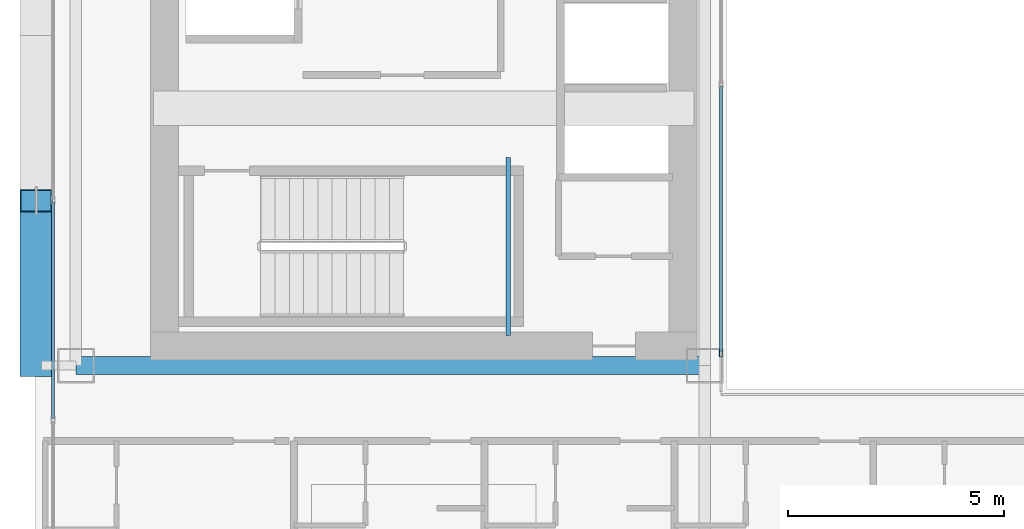
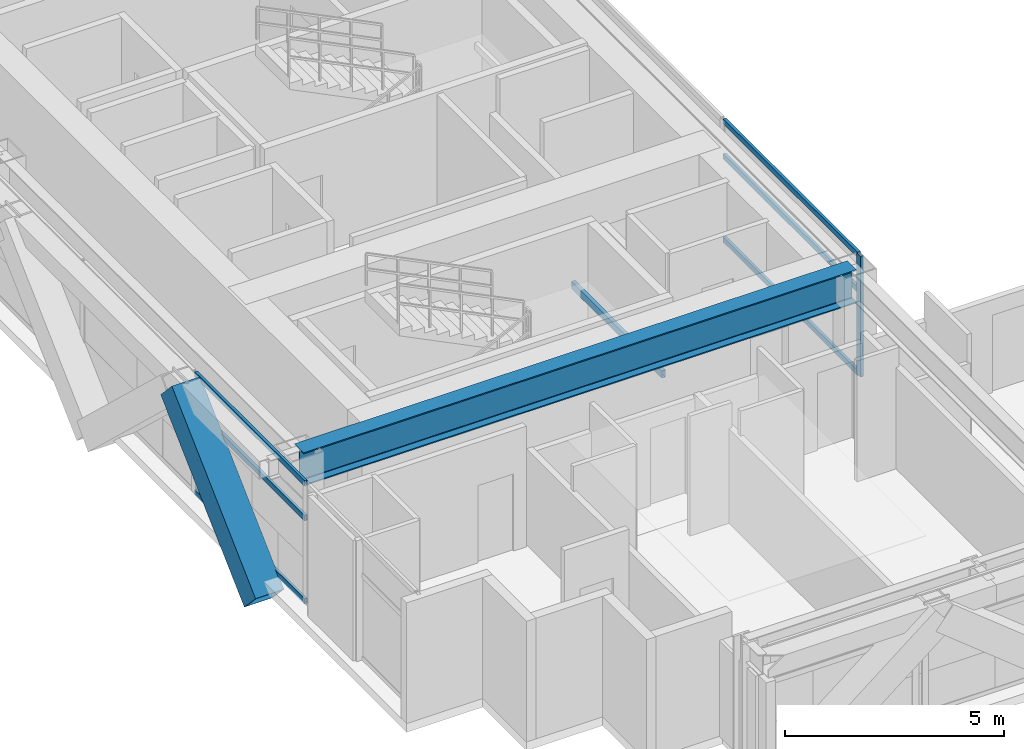
# One storey, part 4 of 39: 8 members, 2 beams, 2 elements without a shape of their own.
"""IFC4 building model written with IfcOpenShell, lengths in metres."""

from ifc_helpers import new_model, si_unit, direction, frame, origin, origin_2d, place, context, subcontext, project, spatial, hollow_rectangle, i_section, extrude, source, transform, mapped, material, layer, layer_set, material_profile, profile_set, type_object, element, aggregate, save


model = new_model("IFC4")

# Units and contexts
model_context = context("Model", 3, precision=1e-05, world=origin(), true_north=direction((0.0, 1.0)))
body_context = subcontext(model_context, "Body", "Model", "MODEL_VIEW")
ifc_project = project(units=[si_unit("LENGTHUNIT", "METRE"), si_unit("AREAUNIT", "SQUARE_METRE"), si_unit("VOLUMEUNIT", "CUBIC_METRE"), si_unit("PLANEANGLEUNIT", "RADIAN"), si_unit("MASSUNIT", "GRAM", prefix="KILO")], contexts=[model_context])

# Site, building, storey
site_placement = place(None, origin())
site = spatial("IfcSite", under=ifc_project, at=site_placement, CompositionType="ELEMENT")
building_placement = place(site_placement, origin())
building = spatial("IfcBuilding", under=site, at=building_placement, Name="Ocotamira Hotel", CompositionType="ELEMENT")
storey_placement = place(building_placement, frame((0.0, 0.0, 104.39990234375)))
storey = spatial("IfcBuildingStorey", under=building, at=storey_placement, Name="L25", CompositionType="ELEMENT", Elevation=104.39990234375)

# Beams
ifc_material_1 = material(Name="Steel ASTM A500 Grade C", Category="steel")
ifc_material_profile_1 = material_profile(ifc_material_1, hollow_rectangle(XDim=0.10009765625, YDim=0.199951171875, WallThickness=0.008056640625, at=origin_2d()), Name="HSS200X100X8")
ifc_profile_set_1 = profile_set([ifc_material_profile_1], Name="Steel ASTM A500 Grade C")
beam_type_1 = type_object("IfcBeamType", Name="BM-STLDG-HSS200", PredefinedType="BEAM", material=ifc_profile_set_1)
shared_shape_1 = source(origin(), body_context, "Body", "SweptSolid", [
    extrude(hollow_rectangle(XDim=0.10009765625, YDim=0.199951171875, WallThickness=0.008056640625, at=origin_2d()), origin(), (0.0, 0.0, 1.0), 4.1201171875),
])
beam_1_placement = place(storey_placement, frame((18.949951171875, 15.25, 1.5), z_axis=(0.0, 1.0, 0.0), x_axis=(-1.0, 0.0, 0.0)))
element("IfcBeam", 1, at=beam_1_placement, inside=storey, type_object=beam_type_1, Name="L25 Stair ST-1 Landing Bearer 1", PredefinedType="BEAM", context=body_context, shape_type="MappedRepresentation", body=[
    mapped(shared_shape_1, transform((0.0, 0.0, 0.0), scale=1.0)),
])
ifc_material_2 = material(Name="Steel ASTM A992 Grade 50", Category="steel")
ifc_material_profile_2 = material_profile(ifc_material_2, i_section(OverallWidth=0.41796875, OverallDepth=0.927001953125, WebThickness=0.019287109375, FlangeThickness=0.031982421875, FilletRadius=0.02392578125, at=origin_2d()), Name="W36X231")
ifc_profile_set_2 = profile_set([ifc_material_profile_2], Name="Steel ASTM A992 Grade 50")
beam_type_2 = type_object("IfcBeamType", Name="BM-GIRD-W36X231", PredefinedType="BEAM", material=ifc_profile_set_2)
shared_shape_2 = source(origin(), body_context, "Body", "SweptSolid", [
    extrude(i_section(OverallWidth=0.41796875, OverallDepth=0.927001953125, WebThickness=0.019287109375, FlangeThickness=0.031982421875, FilletRadius=0.02392578125, at=origin_2d()), origin(), (0.0, 0.0, 1.0), 14.550048828125),
])
beam_2_placement = place(storey_placement, frame((8.949951171875, 14.550048828125, 2.896484375), z_axis=(1.0, 0.0, 0.0), x_axis=(0.0, 1.0, 0.0)))
element("IfcBeam", 2, at=beam_2_placement, inside=storey, type_object=beam_type_2, Name="L25 Girder Y14.55 X8.95-23.5", PredefinedType="BEAM", context=body_context, shape_type="MappedRepresentation", body=[
    mapped(shared_shape_2, transform((0.0, 0.0, 0.0), scale=1.0)),
])

# Member
ifc_material_3 = material(Name="Pale-metal coated steel ASTM A913 Grade 65", Category="steel")
ifc_material_profile_3 = material_profile(ifc_material_3, hollow_rectangle(XDim=0.75, YDim=0.75, WallThickness=0.028076171875, at=origin_2d()), Name="BOX750X750X28")
ifc_profile_set_3 = profile_set([ifc_material_profile_3], Name="Pale-metal coated steel ASTM A913 Grade 65")
member_type_1 = type_object("IfcMemberType", Name="MEM-EXO-BOX750", PredefinedType="BRACE", material=ifc_profile_set_3)
shared_shape_3 = source(origin(), body_context, "Body", "SweptSolid", [
    extrude(hollow_rectangle(XDim=0.75, YDim=0.75, WallThickness=0.028076171875, at=origin_2d()), origin(), (0.0, 0.0, 1.0), 5.24658203125),
])
member_1_placement = place(storey_placement, frame((8.030029296875, 14.550048828125, -0.489990234375), z_axis=(0.0, 0.727442733726, 0.686168397078), x_axis=(-1.0, 0.0, 0.0)))
element("IfcMember", 3, at=member_1_placement, inside=storey, type_object=member_type_1, Name="L25 Exoskeleton Diagrid W0.1", PredefinedType="BRACE", context=body_context, shape_type="MappedRepresentation", body=[
    mapped(shared_shape_3, transform((0.0, 0.0, 0.0), scale=1.0)),
])

# Curtain wall, members
ifc_material_4 = material(Name="Anodised pale-metal aluminium and solar glass", Category="aluminium")
ifc_layer_1 = layer(ifc_material_4, 0.179931640625)
ifc_layer_set_1 = layer_set([ifc_layer_1], Name="Anodised pale-metal aluminium and solar glass")
curtain_wall_type_1 = type_object("IfcCurtainWallType", Name="CW-SYS3-Z2", PredefinedType="NOTDEFINED", material=ifc_layer_set_1)
curtain_wall_1_placement = place(storey_placement, origin())
curtain_wall_1 = element("IfcCurtainWall", 4, at=curtain_wall_1_placement, inside=storey, type_object=curtain_wall_type_1, Name="L25 Curtain Wall CW-3 CW-L25-W", PredefinedType="NOTDEFINED")
ifc_material_5 = material(Name="Anodised pale-metal aluminium 6063-T6", Category="aluminium")
ifc_material_profile_4 = material_profile(ifc_material_5, hollow_rectangle(XDim=0.074951171875, YDim=0.14990234375, WallThickness=0.006103515625, at=origin_2d()), Name="HSS150X75X6")
ifc_profile_set_4 = profile_set([ifc_material_profile_4], Name="Anodised pale-metal aluminium 6063-T6")
member_type_2 = type_object("IfcMemberType", Name="CWT-150X75", PredefinedType="USERDEFINED", material=ifc_profile_set_4)
shared_shape_4 = source(origin(), body_context, "Body", "SweptSolid", [
    extrude(hollow_rectangle(XDim=0.074951171875, YDim=0.14990234375, WallThickness=0.006103515625, at=origin_2d()), origin(), (0.0, 0.0, 1.0), 5.005859375),
])
member_2_placement = place(storey_placement, frame((8.419921875, 13.32568359375, 0.03759765625), z_axis=(0.0, 1.0, 0.0), x_axis=(-1.0, 0.0, 0.0)))
member_2 = element("IfcMember", 5, at=member_2_placement, type_object=member_type_2, Name="CW-3 transom 2.1", ObjectType="TRANSOM", PredefinedType="USERDEFINED", context=body_context, shape_type="MappedRepresentation", body=[
    mapped(shared_shape_4, transform((0.0, 0.0, 0.0), scale=1.0)),
])
member_3_placement = place(storey_placement, frame((8.419921875, 13.32568359375, 2.35009765625), z_axis=(0.0, 1.0, 0.0), x_axis=(-1.0, 0.0, 0.0)))
member_3 = element("IfcMember", 6, at=member_3_placement, type_object=member_type_2, Name="CW-3 transom 2.2", ObjectType="TRANSOM", PredefinedType="USERDEFINED", context=body_context, shape_type="MappedRepresentation", body=[
    mapped(shared_shape_4, transform((0.0, 0.0, 0.0), scale=1.0)),
])
member_4_placement = place(storey_placement, frame((8.419921875, 13.32568359375, 3.322509765625), z_axis=(0.0, 1.0, 0.0), x_axis=(-1.0, 0.0, 0.0)))
member_4 = element("IfcMember", 7, at=member_4_placement, type_object=member_type_2, Name="CW-3 transom 2.3", ObjectType="TRANSOM", PredefinedType="USERDEFINED", context=body_context, shape_type="MappedRepresentation", body=[
    mapped(shared_shape_4, transform((0.0, 0.0, 0.0), scale=1.0)),
])
aggregate(curtain_wall_1, [member_2, member_3, member_4])

ifc_layer_2 = layer(ifc_material_4, 0.159912109375)
ifc_layer_set_2 = layer_set([ifc_layer_2], Name="Anodised pale-metal aluminium and solar glass")
curtain_wall_type_2 = type_object("IfcCurtainWallType", Name="CW-SYS6-ATR", PredefinedType="NOTDEFINED", material=ifc_layer_set_2)
curtain_wall_2_placement = place(storey_placement, origin())
curtain_wall_2 = element("IfcCurtainWall", 8, at=curtain_wall_2_placement, inside=storey, type_object=curtain_wall_type_2, Name="L25 Curtain Wall CW-6 CW-L25-ATRW1", PredefinedType="NOTDEFINED")
shared_shape_5 = source(origin(), body_context, "Body", "SweptSolid", [
    extrude(hollow_rectangle(XDim=0.074951171875, YDim=0.14990234375, WallThickness=0.006103515625, at=origin_2d()), origin(), (0.0, 0.0, 1.0), 6.130126953125),
])
member_5_placement = place(storey_placement, frame((23.8798828125, 14.8798828125, 0.03759765625), z_axis=(0.0, 1.0, 0.0), x_axis=(-1.0, 0.0, 0.0)))
member_5 = element("IfcMember", 9, at=member_5_placement, type_object=member_type_2, Name="CW-6 transom 1.1", ObjectType="TRANSOM", PredefinedType="USERDEFINED", context=body_context, shape_type="MappedRepresentation", body=[
    mapped(shared_shape_5, transform((0.0, 0.0, 0.0), scale=1.0)),
])
member_6_placement = place(storey_placement, frame((23.8798828125, 14.8798828125, 2.35009765625), z_axis=(0.0, 1.0, 0.0), x_axis=(-1.0, 0.0, 0.0)))
member_6 = element("IfcMember", 10, at=member_6_placement, type_object=member_type_2, Name="CW-6 transom 1.2", ObjectType="TRANSOM", PredefinedType="USERDEFINED", context=body_context, shape_type="MappedRepresentation", body=[
    mapped(shared_shape_5, transform((0.0, 0.0, 0.0), scale=1.0)),
])
member_7_placement = place(storey_placement, frame((23.8798828125, 14.8798828125, 3.322509765625), z_axis=(0.0, 1.0, 0.0), x_axis=(-1.0, 0.0, 0.0)))
member_7 = element("IfcMember", 11, at=member_7_placement, type_object=member_type_2, Name="CW-6 transom 1.3", ObjectType="TRANSOM", PredefinedType="USERDEFINED", context=body_context, shape_type="MappedRepresentation", body=[
    mapped(shared_shape_5, transform((0.0, 0.0, 0.0), scale=1.0)),
])
ifc_material_profile_5 = material_profile(ifc_material_5, hollow_rectangle(XDim=0.080078125, YDim=0.179931640625, WallThickness=0.006103515625, at=origin_2d()), Name="HSS180X80X6")
ifc_profile_set_5 = profile_set([ifc_material_profile_5], Name="Anodised pale-metal aluminium 6063-T6")
member_type_3 = type_object("IfcMemberType", Name="CWM-180X75", PredefinedType="MULLION", material=ifc_profile_set_5)
shared_shape_6 = source(origin(), body_context, "Body", "SweptSolid", [
    extrude(hollow_rectangle(XDim=0.080078125, YDim=0.179931640625, WallThickness=0.006103515625, at=origin_2d()), origin(), (0.0, 0.0, 1.0), 3.360107421875),
])
member_8_placement = place(storey_placement, frame((23.8798828125, 14.840087890625, 0.0), z_axis=(0.0, 0.0, 1.0), x_axis=(-1.0, 0.0, 0.0)))
member_8 = element("IfcMember", 12, at=member_8_placement, type_object=member_type_3, Name="CW-6 mullion 1", PredefinedType="MULLION", context=body_context, shape_type="MappedRepresentation", body=[
    mapped(shared_shape_6, transform((0.0, 0.0, 0.0), scale=1.0)),
])
aggregate(curtain_wall_2, [member_8, member_5, member_6, member_7])

save(model, "model.ifc")
